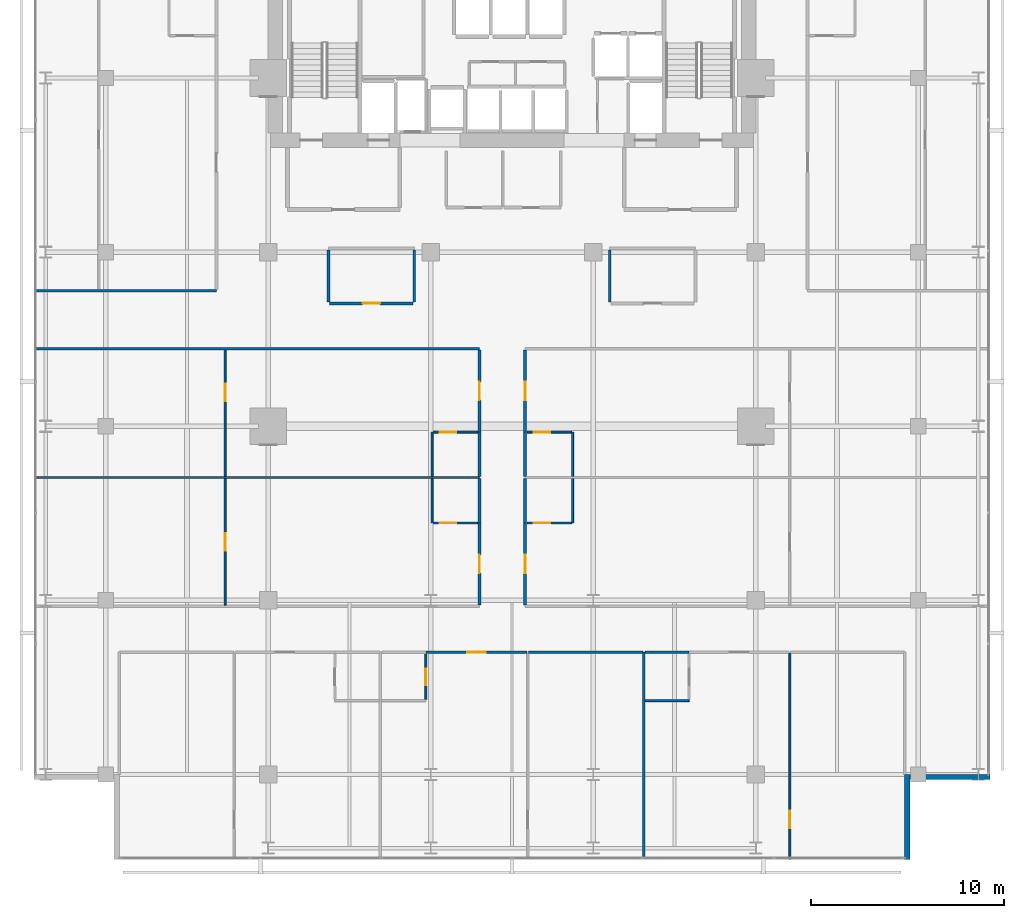
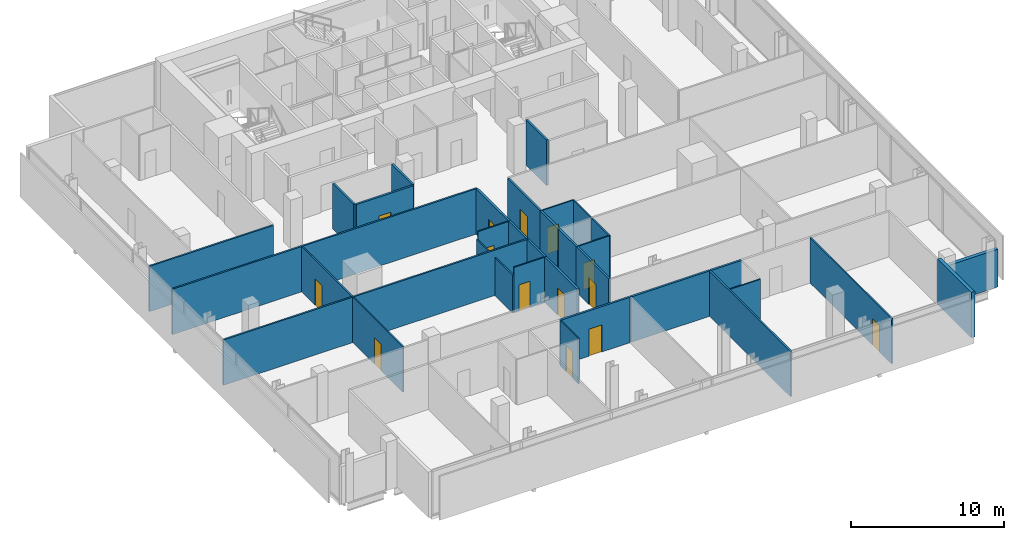
# One storey, part 27 of 33: 34 walls, 14 doors, 14 openings.
"""IFC4 building model written with IfcOpenShell, lengths in metres."""

from ifc_helpers import new_model, si_unit, direction, frame, frame_2d, origin, place, context, subcontext, project, spatial, rectangle, extrude, material, layer, layer_set, type_object, element, fill, save


model = new_model("IFC4")

# Units and contexts
model_context = context("Model", 3, precision=1e-05, world=origin(), true_north=direction((0.0, 1.0)))
body_context = subcontext(model_context, "Body", "Model", "MODEL_VIEW")
ifc_project = project(units=[si_unit("LENGTHUNIT", "METRE"), si_unit("AREAUNIT", "SQUARE_METRE"), si_unit("VOLUMEUNIT", "CUBIC_METRE"), si_unit("PLANEANGLEUNIT", "RADIAN"), si_unit("MASSUNIT", "GRAM", prefix="KILO")], contexts=[model_context])

# Site, building, storey
site_placement = place(None, origin())
site = spatial("IfcSite", under=ifc_project, at=site_placement, CompositionType="ELEMENT")
building_placement = place(site_placement, origin())
building = spatial("IfcBuilding", under=site, at=building_placement, Name="Maruvema Waterfront Hotel and Observation Tower", CompositionType="ELEMENT")
storey_placement = place(building_placement, frame((0.0, 0.0, 169.75)))
storey = spatial("IfcBuildingStorey", under=building, at=storey_placement, Name="L41", CompositionType="ELEMENT", Elevation=169.75)

# Walls
ifc_material_1 = material(Name="Twin-stud acoustic gypsum drywall", Category="gypsum")
ifc_layer_1 = layer(ifc_material_1, 0.14990234375, Name="Acoustic Corridor and Suite Demising Wall 150 mm")
ifc_layer_set_1 = layer_set([ifc_layer_1], Name="Twin-stud acoustic gypsum drywall")
wall_type_1 = type_object("IfcWallType", Name="Acoustic Corridor and Suite Demising Wall 150 mm", PredefinedType="PARTITIONING", material=ifc_layer_set_1)
for number, where, z_axis, x_axis, name in (
    (1, (28.320068359375, 33.429931640625, 0.0), (0.0, 0.0, 1.0), (0.0, 1.0, 0.0), "L41 L41-M1 West Wall 028"),
    (2, (32.75, 33.429931640625, 0.0), (0.0, 0.0, 1.0), (0.0, 1.0, 0.0), "L41 L41-M1 East Wall 029"),
):
    element("IfcWall", number, at=place(storey_placement, frame(where, z_axis=z_axis, x_axis=x_axis)), inside=storey, type_object=wall_type_1, Name=name, PredefinedType="PARTITIONING", context=body_context, shape_type="SweptSolid", body=[
        extrude(rectangle(XDim=2.690185546875, YDim=0.14990234375, at=frame_2d((1.34521484375, 0.0))), origin(), (0.0, 0.0, 1.0), 3.610107421875),
    ])

# Wall, opening, door
wall_1_placement = place(storey_placement, frame((28.3798828125, 33.35009765625, 0.0), z_axis=(0.0, 0.0, 1.0), x_axis=(1.0, 0.0, 0.0)))
wall_1 = element("IfcWall", 3, at=wall_1_placement, inside=storey, type_object=wall_type_1, Name="L41 L41-M1 Front 1 030", PredefinedType="PARTITIONING", context=body_context, shape_type="SweptSolid", body=[
    extrude(rectangle(XDim=4.31005859375, YDim=0.14990234375, at=frame_2d((2.155029296875, 0.0))), origin(), (0.0, 0.0, 1.0), 3.610107421875),
])
opening_1_placement = place(wall_1_placement, frame((1.705078125, 0.0, 0.0)))
opening_1 = element("IfcOpeningElement", 4, at=opening_1_placement, cuts=wall_1, Name="Opening DR-090", PredefinedType="OPENING", context=body_context, shape_type="SweptSolid", body=[
    extrude(rectangle(XDim=0.89990234375, YDim=2.10009765625, at=frame_2d((0.449951171875, 1.050048828125))), frame((0.0, 0.0849609375, 0.0), z_axis=(0.0, -1.0, 0.0), x_axis=(1.0, 0.0, 0.0)), (0.0, 0.0, 1.0), 0.169921875),
])
ifc_material_2 = material(Name="Solid-core lacquered timber leaf", Category="wood")
door_type_1 = type_object("IfcDoorType", Name="Accessible Toilet and Room Door 900x2100 mm", OperationType="NOTDEFINED", PredefinedType="DOOR", material=ifc_material_2)
door_1_placement = place(opening_1_placement, frame((0.89990234375, 0.0, 0.0), z_axis=(0.0, 0.0, 1.0), x_axis=(-1.0, 0.0, 0.0)))
door_1 = element("IfcDoor", 5, at=door_1_placement, inside=storey, type_object=door_type_1, Name="L41 Chef Kitchen 1 Door", OperationType="SINGLE_SWING_RIGHT", OverallHeight=2.10009765625, OverallWidth=0.89990234375, PredefinedType="DOOR", context=body_context, shape_type="SweptSolid", body=[
    extrude(rectangle(XDim=0.89990234375, YDim=2.10009765625, at=frame_2d((0.449951171875, 1.050048828125))), frame((0.0, 0.02490234375, 0.0), z_axis=(0.0, -1.0, 0.0), x_axis=(1.0, 0.0, 0.0)), (0.0, 0.0, 1.0), 0.050048828125),
])
fill(opening_1, door_1)

# Wall
wall_2_placement = place(storey_placement, frame((42.85009765625, 33.429931640625, 0.0), z_axis=(0.0, 0.0, 1.0), x_axis=(0.0, 1.0, 0.0)))
element("IfcWall", 6, at=wall_2_placement, inside=storey, type_object=wall_type_1, Name="L41 L41-M2 West Wall 032", PredefinedType="PARTITIONING", context=body_context, shape_type="SweptSolid", body=[
    extrude(rectangle(XDim=2.690185546875, YDim=0.14990234375, at=frame_2d((1.34521484375, 0.0))), origin(), (0.0, 0.0, 1.0), 3.610107421875),
])

# Wall, opening, door
wall_3_placement = place(storey_placement, frame((33.35009765625, 15.320068359375, 0.0), z_axis=(0.0, 0.0, 1.0), x_axis=(1.0, 0.0, 0.0)))
wall_3 = element("IfcWall", 7, at=wall_3_placement, inside=storey, type_object=wall_type_1, Name="L41 Unit L41-S2 Corridor Wall 047", PredefinedType="PARTITIONING", context=body_context, shape_type="SweptSolid", body=[
    extrude(rectangle(XDim=5.225830078125, YDim=0.14990234375, at=frame_2d((2.61279296875, 0.0))), origin(), (0.0, 0.0, 1.0), 3.610107421875),
])
opening_2_placement = place(wall_3_placement, frame((2.137939453125, 0.0, 0.0)))
opening_2 = element("IfcOpeningElement", 8, at=opening_2_placement, cuts=wall_3, Name="Opening DR-095", PredefinedType="OPENING", context=body_context, shape_type="SweptSolid", body=[
    extrude(rectangle(XDim=0.949951171875, YDim=2.14990234375, at=frame_2d((0.47509765625, 1.074951171875))), frame((0.0, 0.0849609375, 0.0), z_axis=(0.0, -1.0, 0.0), x_axis=(1.0, 0.0, 0.0)), (0.0, 0.0, 1.0), 0.169921875),
])
ifc_material_3 = material(Name="Acoustic solid-core hardwood timber leaf", Category="wood")
door_type_2 = type_object("IfcDoorType", Name="Guestroom Entrance Fire Door 950x2150 mm", OperationType="NOTDEFINED", PredefinedType="DOOR", material=ifc_material_3)
door_2_placement = place(opening_2_placement, frame((0.949951171875, 0.0, 0.0), z_axis=(0.0, 0.0, 1.0), x_axis=(-1.0, 0.0, 0.0)))
door_2 = element("IfcDoor", 9, at=door_2_placement, inside=storey, type_object=door_type_2, Name="L41 Unit L41-S2 Entrance Door", OperationType="SINGLE_SWING_RIGHT", OverallHeight=2.14990234375, OverallWidth=0.949951171875, PredefinedType="DOOR", context=body_context, shape_type="SweptSolid", body=[
    extrude(rectangle(XDim=0.949951171875, YDim=2.14990234375, at=frame_2d((0.47509765625, 1.074951171875))), frame((0.0, 0.02490234375, 0.0), z_axis=(0.0, -1.0, 0.0), x_axis=(1.0, 0.0, 0.0)), (0.0, 0.0, 1.0), 0.050048828125),
])
fill(opening_2, door_2)

# Walls
wall_4_placement = place(storey_placement, frame((38.656005859375, 15.320068359375, 0.0), z_axis=(0.0, 0.0, 1.0), x_axis=(1.0, 0.0, 0.0)))
element("IfcWall", 10, at=wall_4_placement, inside=storey, type_object=wall_type_1, Name="L41 Bedroom L41-S2 Back Wall 048", PredefinedType="PARTITIONING", context=body_context, shape_type="SweptSolid", body=[
    extrude(rectangle(XDim=5.924072265625, YDim=0.14990234375, at=frame_2d((2.9619140625, 0.0))), origin(), (0.0, 0.0, 1.0), 3.610107421875),
])
wall_5_placement = place(storey_placement, frame((44.679931640625, 15.320068359375, 0.0), z_axis=(0.0, 0.0, 1.0), x_axis=(1.0, 0.0, 0.0)))
element("IfcWall", 11, at=wall_5_placement, inside=storey, type_object=wall_type_1, Name="L41 Bath L41-S3 Back Wall 051", PredefinedType="PARTITIONING", context=body_context, shape_type="SweptSolid", body=[
    extrude(rectangle(XDim=2.27001953125, YDim=0.14990234375, at=frame_2d((1.135009765625, 0.0))), origin(), (0.0, 0.0, 1.0), 3.610107421875),
])

# Wall, opening, door
wall_6_placement = place(storey_placement, frame((36.1201171875, 17.760009765625, 0.0), z_axis=(0.0, 0.0, 1.0), x_axis=(0.0, 1.0, 0.0)))
wall_6 = element("IfcWall", 12, at=wall_6_placement, inside=storey, type_object=wall_type_1, Name="L41 Room L41-W1 Corridor Wall 061", PredefinedType="PARTITIONING", context=body_context, shape_type="SweptSolid", body=[
    extrude(rectangle(XDim=4.239990234375, YDim=0.14990234375, at=frame_2d((2.1201171875, 0.0))), origin(), (0.0, 0.0, 1.0), 3.610107421875),
])
opening_3_placement = place(wall_6_placement, frame((1.64501953125, 0.0, 0.0)))
opening_3 = element("IfcOpeningElement", 13, at=opening_3_placement, cuts=wall_6, Name="Opening DR-095", PredefinedType="OPENING", context=body_context, shape_type="SweptSolid", body=[
    extrude(rectangle(XDim=0.949951171875, YDim=2.14990234375, at=frame_2d((0.47509765625, 1.074951171875))), frame((0.0, 0.0849609375, 0.0), z_axis=(0.0, -1.0, 0.0), x_axis=(1.0, 0.0, 0.0)), (0.0, 0.0, 1.0), 0.169921875),
])
door_3_placement = place(opening_3_placement, origin())
door_3 = element("IfcDoor", 14, at=door_3_placement, inside=storey, type_object=door_type_2, Name="L41 Room L41-W1 Entrance Door", OperationType="SINGLE_SWING_RIGHT", OverallHeight=2.14990234375, OverallWidth=0.949951171875, PredefinedType="DOOR", context=body_context, shape_type="SweptSolid", body=[
    extrude(rectangle(XDim=0.949951171875, YDim=2.14990234375, at=frame_2d((0.47509765625, 1.074951171875))), frame((0.0, 0.02490234375, 0.0), z_axis=(0.0, -1.0, 0.0), x_axis=(1.0, 0.0, 0.0)), (0.0, 0.0, 1.0), 0.050048828125),
])
fill(opening_3, door_3)

# Wall
wall_7_placement = place(storey_placement, frame((36.1201171875, 22.0, 0.0), z_axis=(0.0, 0.0, 1.0), x_axis=(0.0, 1.0, 0.0)))
element("IfcWall", 15, at=wall_7_placement, inside=storey, type_object=wall_type_1, Name="L41 Bath L41-W1 Wall 062", PredefinedType="PARTITIONING", context=body_context, shape_type="SweptSolid", body=[
    extrude(rectangle(XDim=2.2900390625, YDim=0.14990234375, at=frame_2d((1.14501953125, 0.0))), origin(), (0.0, 0.0, 1.0), 3.610107421875),
])

# Wall, opening, door
wall_8_placement = place(storey_placement, frame((38.47998046875, 17.760009765625, 0.0), z_axis=(0.0, 0.0, 1.0), x_axis=(0.0, 1.0, 0.0)))
wall_8 = element("IfcWall", 16, at=wall_8_placement, inside=storey, type_object=wall_type_1, Name="L41 Room L41-E1 Corridor Wall 066", PredefinedType="PARTITIONING", context=body_context, shape_type="SweptSolid", body=[
    extrude(rectangle(XDim=4.239990234375, YDim=0.14990234375, at=frame_2d((2.1201171875, 0.0))), origin(), (0.0, 0.0, 1.0), 3.610107421875),
])
opening_4_placement = place(wall_8_placement, frame((1.64501953125, 0.0, 0.0)))
opening_4 = element("IfcOpeningElement", 17, at=opening_4_placement, cuts=wall_8, Name="Opening DR-095", PredefinedType="OPENING", context=body_context, shape_type="SweptSolid", body=[
    extrude(rectangle(XDim=0.949951171875, YDim=2.14990234375, at=frame_2d((0.47509765625, 1.074951171875))), frame((0.0, 0.0849609375, 0.0), z_axis=(0.0, -1.0, 0.0), x_axis=(1.0, 0.0, 0.0)), (0.0, 0.0, 1.0), 0.169921875),
])
door_4_placement = place(opening_4_placement, frame((0.949951171875, 0.0, 0.0), z_axis=(0.0, 0.0, 1.0), x_axis=(-1.0, 0.0, 0.0)))
door_4 = element("IfcDoor", 18, at=door_4_placement, inside=storey, type_object=door_type_2, Name="L41 Room L41-E1 Entrance Door", OperationType="SINGLE_SWING_LEFT", OverallHeight=2.14990234375, OverallWidth=0.949951171875, PredefinedType="DOOR", context=body_context, shape_type="SweptSolid", body=[
    extrude(rectangle(XDim=0.949951171875, YDim=2.14990234375, at=frame_2d((0.47509765625, 1.074951171875))), frame((0.0, 0.02490234375, 0.0), z_axis=(0.0, -1.0, 0.0), x_axis=(1.0, 0.0, 0.0)), (0.0, 0.0, 1.0), 0.050048828125),
])
fill(opening_4, door_4)

# Walls
for number, where, z_axis, x_axis, name in (
    (19, (38.47998046875, 22.0, 0.0), (0.0, 0.0, 1.0), (0.0, 1.0, 0.0), "L41 Bath L41-E1 Wall 067"),
    (20, (36.1201171875, 24.409912109375, 0.0), (0.0, 0.0, 1.0), (0.0, 1.0, 0.0), "L41 Bath L41-W2 Wall 073"),
):
    element("IfcWall", number, at=place(storey_placement, frame(where, z_axis=z_axis, x_axis=x_axis)), inside=storey, type_object=wall_type_1, Name=name, PredefinedType="PARTITIONING", context=body_context, shape_type="SweptSolid", body=[
        extrude(rectangle(XDim=2.2900390625, YDim=0.14990234375, at=frame_2d((1.14501953125, 0.0))), origin(), (0.0, 0.0, 1.0), 3.610107421875),
    ])

# Wall, opening, door
wall_9_placement = place(storey_placement, frame((36.1201171875, 26.699951171875, 0.0), z_axis=(0.0, 0.0, 1.0), x_axis=(0.0, 1.0, 0.0)))
wall_9 = element("IfcWall", 21, at=wall_9_placement, inside=storey, type_object=wall_type_1, Name="L41 Room L41-W2 Corridor Wall 074", PredefinedType="PARTITIONING", context=body_context, shape_type="SweptSolid", body=[
    extrude(rectangle(XDim=4.239990234375, YDim=0.14990234375, at=frame_2d((2.1201171875, 0.0))), origin(), (0.0, 0.0, 1.0), 3.610107421875),
])
opening_5_placement = place(wall_9_placement, frame((1.64501953125, 0.0, 0.0)))
opening_5 = element("IfcOpeningElement", 22, at=opening_5_placement, cuts=wall_9, Name="Opening DR-095", PredefinedType="OPENING", context=body_context, shape_type="SweptSolid", body=[
    extrude(rectangle(XDim=0.949951171875, YDim=2.14990234375, at=frame_2d((0.47509765625, 1.074951171875))), frame((0.0, 0.0849609375, 0.0), z_axis=(0.0, -1.0, 0.0), x_axis=(1.0, 0.0, 0.0)), (0.0, 0.0, 1.0), 0.169921875),
])
door_5_placement = place(opening_5_placement, origin())
door_5 = element("IfcDoor", 23, at=door_5_placement, inside=storey, type_object=door_type_2, Name="L41 Room L41-W2 Entrance Door", OperationType="SINGLE_SWING_RIGHT", OverallHeight=2.14990234375, OverallWidth=0.949951171875, PredefinedType="DOOR", context=body_context, shape_type="SweptSolid", body=[
    extrude(rectangle(XDim=0.949951171875, YDim=2.14990234375, at=frame_2d((0.47509765625, 1.074951171875))), frame((0.0, 0.02490234375, 0.0), z_axis=(0.0, -1.0, 0.0), x_axis=(1.0, 0.0, 0.0)), (0.0, 0.0, 1.0), 0.050048828125),
])
fill(opening_5, door_5)

# Wall
wall_10_placement = place(storey_placement, frame((38.47998046875, 24.409912109375, 0.0), z_axis=(0.0, 0.0, 1.0), x_axis=(0.0, 1.0, 0.0)))
element("IfcWall", 24, at=wall_10_placement, inside=storey, type_object=wall_type_1, Name="L41 Bath L41-E2 Wall 078", PredefinedType="PARTITIONING", context=body_context, shape_type="SweptSolid", body=[
    extrude(rectangle(XDim=2.2900390625, YDim=0.14990234375, at=frame_2d((1.14501953125, 0.0))), origin(), (0.0, 0.0, 1.0), 3.610107421875),
])

# Wall, opening, door
wall_11_placement = place(storey_placement, frame((38.47998046875, 26.699951171875, 0.0), z_axis=(0.0, 0.0, 1.0), x_axis=(0.0, 1.0, 0.0)))
wall_11 = element("IfcWall", 25, at=wall_11_placement, inside=storey, type_object=wall_type_1, Name="L41 Room L41-E2 Corridor Wall 079", PredefinedType="PARTITIONING", context=body_context, shape_type="SweptSolid", body=[
    extrude(rectangle(XDim=4.239990234375, YDim=0.14990234375, at=frame_2d((2.1201171875, 0.0))), origin(), (0.0, 0.0, 1.0), 3.610107421875),
])
opening_6_placement = place(wall_11_placement, frame((1.64501953125, 0.0, 0.0)))
opening_6 = element("IfcOpeningElement", 26, at=opening_6_placement, cuts=wall_11, Name="Opening DR-095", PredefinedType="OPENING", context=body_context, shape_type="SweptSolid", body=[
    extrude(rectangle(XDim=0.949951171875, YDim=2.14990234375, at=frame_2d((0.47509765625, 1.074951171875))), frame((0.0, 0.0849609375, 0.0), z_axis=(0.0, -1.0, 0.0), x_axis=(1.0, 0.0, 0.0)), (0.0, 0.0, 1.0), 0.169921875),
])
door_6_placement = place(opening_6_placement, frame((0.949951171875, 0.0, 0.0), z_axis=(0.0, 0.0, 1.0), x_axis=(-1.0, 0.0, 0.0)))
door_6 = element("IfcDoor", 27, at=door_6_placement, inside=storey, type_object=door_type_2, Name="L41 Room L41-E2 Entrance Door", OperationType="SINGLE_SWING_LEFT", OverallHeight=2.14990234375, OverallWidth=0.949951171875, PredefinedType="DOOR", context=body_context, shape_type="SweptSolid", body=[
    extrude(rectangle(XDim=0.949951171875, YDim=2.14990234375, at=frame_2d((0.47509765625, 1.074951171875))), frame((0.0, 0.02490234375, 0.0), z_axis=(0.0, -1.0, 0.0), x_axis=(1.0, 0.0, 0.0)), (0.0, 0.0, 1.0), 0.050048828125),
])
fill(opening_6, door_6)

ifc_material_4 = material(Name="Moisture-resistant cement-board drywall", Category="gypsum")
ifc_layer_2 = layer(ifc_material_4, 0.10009765625, Name="En-Suite Moisture-Resistant Partition 100 mm")
ifc_layer_set_2 = layer_set([ifc_layer_2], Name="Moisture-resistant cement-board drywall")
wall_type_2 = type_object("IfcWallType", Name="En-Suite Moisture-Resistant Partition 100 mm", PredefinedType="PARTITIONING", material=ifc_layer_set_2)
wall_12_placement = place(storey_placement, frame((33.35009765625, 12.8798828125, 0.0), z_axis=(0.0, 0.0, 1.0), x_axis=(0.0, 1.0, 0.0)))
wall_12 = element("IfcWall", 28, at=wall_12_placement, inside=storey, type_object=wall_type_2, Name="L41 En-Suite L41-S2 East 046", PredefinedType="PARTITIONING", context=body_context, shape_type="SweptSolid", body=[
    extrude(rectangle(XDim=2.340087890625, YDim=0.10009765625, at=frame_2d((1.169921875, 0.0))), origin(), (0.0, 0.0, 1.0), 3.610107421875),
])
opening_7_placement = place(wall_12_placement, frame((0.7451171875, 0.0, 0.0)))
opening_7 = element("IfcOpeningElement", 29, at=opening_7_placement, cuts=wall_12, Name="Opening DR-085", PredefinedType="OPENING", context=body_context, shape_type="SweptSolid", body=[
    extrude(rectangle(XDim=0.85009765625, YDim=2.10009765625, at=frame_2d((0.425048828125, 1.050048828125))), frame((0.0, 0.06005859375, 0.0), z_axis=(0.0, -1.0, 0.0), x_axis=(1.0, 0.0, 0.0)), (0.0, 0.0, 1.0), 0.1201171875),
])
ifc_material_5 = material(Name="Moisture-resistant solid timber leaf", Category="wood")
door_type_3 = type_object("IfcDoorType", Name="En-Suite Bathroom Door 850x2100 mm", OperationType="NOTDEFINED", PredefinedType="DOOR", material=ifc_material_5)
door_7_placement = place(opening_7_placement, frame((0.85009765625, 0.0, 0.0), z_axis=(0.0, 0.0, 1.0), x_axis=(-1.0, 0.0, 0.0)))
door_7 = element("IfcDoor", 30, at=door_7_placement, inside=storey, type_object=door_type_3, Name="L41 En-Suite L41-S2 Door", OperationType="SINGLE_SWING_LEFT", OverallHeight=2.10009765625, OverallWidth=0.85009765625, PredefinedType="DOOR", context=body_context, shape_type="SweptSolid", body=[
    extrude(rectangle(XDim=0.85009765625, YDim=2.10009765625, at=frame_2d((0.425048828125, 1.050048828125))), frame((0.0, 0.02490234375, 0.0), z_axis=(0.0, -1.0, 0.0), x_axis=(1.0, 0.0, 0.0)), (0.0, 0.0, 1.0), 0.050048828125),
])
fill(opening_7, door_7)

# Wall
wall_13_placement = place(storey_placement, frame((44.679931640625, 12.820068359375, 0.0), z_axis=(0.0, 0.0, 1.0), x_axis=(1.0, 0.0, 0.0)))
element("IfcWall", 31, at=wall_13_placement, inside=storey, type_object=wall_type_2, Name="L41 En-Suite L41-S3 South 052", PredefinedType="PARTITIONING", context=body_context, shape_type="SweptSolid", body=[
    extrude(rectangle(XDim=2.27001953125, YDim=0.10009765625, at=frame_2d((1.135009765625, 0.0))), origin(), (0.0, 0.0, 1.0), 3.610107421875),
])

# Wall, opening, door
wall_14_placement = place(storey_placement, frame((52.159912109375, 4.6298828125, 0.0), z_axis=(0.0, 0.0, 1.0), x_axis=(0.0, 1.0, 0.0)))
wall_14 = element("IfcWall", 32, at=wall_14_placement, inside=storey, type_object=wall_type_2, Name="L41 Suite L41-S3 Split 056", PredefinedType="PARTITIONING", context=body_context, shape_type="SweptSolid", body=[
    extrude(rectangle(XDim=10.630126953125, YDim=0.10009765625, at=frame_2d((5.31494140625, 0.0))), origin(), (0.0, 0.0, 1.0), 3.610107421875),
])
opening_8_placement = place(wall_14_placement, frame((1.60009765625, 0.0, 0.0)))
opening_8 = element("IfcOpeningElement", 33, at=opening_8_placement, cuts=wall_14, Name="Opening DR-090", PredefinedType="OPENING", context=body_context, shape_type="SweptSolid", body=[
    extrude(rectangle(XDim=0.89990234375, YDim=2.10009765625, at=frame_2d((0.449951171875, 1.050048828125))), frame((0.0, 0.06005859375, 0.0), z_axis=(0.0, -1.0, 0.0), x_axis=(1.0, 0.0, 0.0)), (0.0, 0.0, 1.0), 0.1201171875),
])
door_8_placement = place(opening_8_placement, origin())
door_8 = element("IfcDoor", 34, at=door_8_placement, inside=storey, type_object=door_type_1, Name="L41 Suite L41-S3 Bedroom Door", OperationType="SINGLE_SWING_RIGHT", OverallHeight=2.10009765625, OverallWidth=0.89990234375, PredefinedType="DOOR", context=body_context, shape_type="SweptSolid", body=[
    extrude(rectangle(XDim=0.89990234375, YDim=2.10009765625, at=frame_2d((0.449951171875, 1.050048828125))), frame((0.0, 0.02490234375, 0.0), z_axis=(0.0, -1.0, 0.0), x_axis=(1.0, 0.0, 0.0)), (0.0, 0.0, 1.0), 0.050048828125),
])
fill(opening_8, door_8)

# Wall
wall_15_placement = place(storey_placement, frame((33.669921875, 22.0, 0.0), z_axis=(0.0, 0.0, 1.0), x_axis=(0.0, 1.0, 0.0)))
element("IfcWall", 35, at=wall_15_placement, inside=storey, type_object=wall_type_2, Name="L41 En-Suite L41-W1 W 063", PredefinedType="PARTITIONING", context=body_context, shape_type="SweptSolid", body=[
    extrude(rectangle(XDim=2.2900390625, YDim=0.10009765625, at=frame_2d((1.14501953125, 0.0))), origin(), (0.0, 0.0, 1.0), 3.007080078125),
])

# Wall, opening, door
wall_16_placement = place(storey_placement, frame((33.719970703125, 22.0, 0.0), z_axis=(0.0, 0.0, 1.0), x_axis=(1.0, 0.0, 0.0)))
wall_16 = element("IfcWall", 36, at=wall_16_placement, inside=storey, type_object=wall_type_2, Name="L41 En-Suite L41-W1 S 064", PredefinedType="PARTITIONING", context=body_context, shape_type="SweptSolid", body=[
    extrude(rectangle(XDim=2.300048828125, YDim=0.10009765625, at=frame_2d((1.14990234375, 0.0))), origin(), (0.0, 0.0, 1.0), 3.610107421875),
])
opening_9_placement = place(wall_16_placement, frame((0.35009765625, 0.0, 0.0)))
opening_9 = element("IfcOpeningElement", 37, at=opening_9_placement, cuts=wall_16, Name="Opening DR-085", PredefinedType="OPENING", context=body_context, shape_type="SweptSolid", body=[
    extrude(rectangle(XDim=0.85009765625, YDim=2.10009765625, at=frame_2d((0.425048828125, 1.050048828125))), frame((0.0, 0.06005859375, 0.0), z_axis=(0.0, -1.0, 0.0), x_axis=(1.0, 0.0, 0.0)), (0.0, 0.0, 1.0), 0.1201171875),
])
door_9_placement = place(opening_9_placement, frame((0.85009765625, 0.0, 0.0), z_axis=(0.0, 0.0, 1.0), x_axis=(-1.0, 0.0, 0.0)))
door_9 = element("IfcDoor", 38, at=door_9_placement, inside=storey, type_object=door_type_3, Name="L41 En-Suite L41-W1 Door", OperationType="SINGLE_SWING_LEFT", OverallHeight=2.10009765625, OverallWidth=0.85009765625, PredefinedType="DOOR", context=body_context, shape_type="SweptSolid", body=[
    extrude(rectangle(XDim=0.85009765625, YDim=2.10009765625, at=frame_2d((0.425048828125, 1.050048828125))), frame((0.0, 0.02490234375, 0.0), z_axis=(0.0, -1.0, 0.0), x_axis=(1.0, 0.0, 0.0)), (0.0, 0.0, 1.0), 0.050048828125),
])
fill(opening_9, door_9)

wall_17_placement = place(storey_placement, frame((22.9736328125, 17.760009765625, 0.0), z_axis=(0.0, 0.0, 1.0), x_axis=(0.0, 1.0, 0.0)))
wall_17 = element("IfcWall", 39, at=wall_17_placement, inside=storey, type_object=wall_type_2, Name="L41 Suite L41-W1 Split 065", PredefinedType="PARTITIONING", context=body_context, shape_type="SweptSolid", body=[
    extrude(rectangle(XDim=6.530029296875, YDim=0.10009765625, at=frame_2d((3.26513671875, 0.0))), origin(), (0.0, 0.0, 1.0), 3.610107421875),
])
opening_10_placement = place(wall_17_placement, frame((2.81494140625, 0.0, 0.0)))
opening_10 = element("IfcOpeningElement", 40, at=opening_10_placement, cuts=wall_17, Name="Opening DR-090", PredefinedType="OPENING", context=body_context, shape_type="SweptSolid", body=[
    extrude(rectangle(XDim=0.89990234375, YDim=2.10009765625, at=frame_2d((0.449951171875, 1.050048828125))), frame((0.0, 0.06005859375, 0.0), z_axis=(0.0, -1.0, 0.0), x_axis=(1.0, 0.0, 0.0)), (0.0, 0.0, 1.0), 0.1201171875),
])
door_10_placement = place(opening_10_placement, origin())
door_10 = element("IfcDoor", 41, at=door_10_placement, inside=storey, type_object=door_type_1, Name="L41 Suite L41-W1 Bedroom Door", OperationType="SINGLE_SWING_LEFT", OverallHeight=2.10009765625, OverallWidth=0.89990234375, PredefinedType="DOOR", context=body_context, shape_type="SweptSolid", body=[
    extrude(rectangle(XDim=0.89990234375, YDim=2.10009765625, at=frame_2d((0.449951171875, 1.050048828125))), frame((0.0, 0.02490234375, 0.0), z_axis=(0.0, -1.0, 0.0), x_axis=(1.0, 0.0, 0.0)), (0.0, 0.0, 1.0), 0.050048828125),
])
fill(opening_10, door_10)

# Wall
wall_18_placement = place(storey_placement, frame((40.929931640625, 22.0, 0.0), z_axis=(0.0, 0.0, 1.0), x_axis=(0.0, 1.0, 0.0)))
element("IfcWall", 42, at=wall_18_placement, inside=storey, type_object=wall_type_2, Name="L41 En-Suite L41-E1 E 068", PredefinedType="PARTITIONING", context=body_context, shape_type="SweptSolid", body=[
    extrude(rectangle(XDim=2.2900390625, YDim=0.10009765625, at=frame_2d((1.14501953125, 0.0))), origin(), (0.0, 0.0, 1.0), 3.610107421875),
])

# Wall, opening, door
wall_19_placement = place(storey_placement, frame((38.580078125, 22.0, 0.0), z_axis=(0.0, 0.0, 1.0), x_axis=(1.0, 0.0, 0.0)))
wall_19 = element("IfcWall", 43, at=wall_19_placement, inside=storey, type_object=wall_type_2, Name="L41 En-Suite L41-E1 S 069", PredefinedType="PARTITIONING", context=body_context, shape_type="SweptSolid", body=[
    extrude(rectangle(XDim=2.2998046875, YDim=0.10009765625, at=frame_2d((1.14990234375, 0.0))), origin(), (0.0, 0.0, 1.0), 3.610107421875),
])
opening_11_placement = place(wall_19_placement, frame((0.35009765625, 0.0, 0.0)))
opening_11 = element("IfcOpeningElement", 44, at=opening_11_placement, cuts=wall_19, Name="Opening DR-085", PredefinedType="OPENING", context=body_context, shape_type="SweptSolid", body=[
    extrude(rectangle(XDim=0.85009765625, YDim=2.10009765625, at=frame_2d((0.425048828125, 1.050048828125))), frame((0.0, 0.06005859375, 0.0), z_axis=(0.0, -1.0, 0.0), x_axis=(1.0, 0.0, 0.0)), (0.0, 0.0, 1.0), 0.1201171875),
])
door_11_placement = place(opening_11_placement, frame((0.85009765625, 0.0, 0.0), z_axis=(0.0, 0.0, 1.0), x_axis=(-1.0, 0.0, 0.0)))
door_11 = element("IfcDoor", 45, at=door_11_placement, inside=storey, type_object=door_type_3, Name="L41 En-Suite L41-E1 Door", OperationType="SINGLE_SWING_RIGHT", OverallHeight=2.10009765625, OverallWidth=0.85009765625, PredefinedType="DOOR", context=body_context, shape_type="SweptSolid", body=[
    extrude(rectangle(XDim=0.85009765625, YDim=2.10009765625, at=frame_2d((0.425048828125, 1.050048828125))), frame((0.0, 0.02490234375, 0.0), z_axis=(0.0, -1.0, 0.0), x_axis=(1.0, 0.0, 0.0)), (0.0, 0.0, 1.0), 0.050048828125),
])
fill(opening_11, door_11)

# Wall
wall_20_placement = place(storey_placement, frame((33.669921875, 24.409912109375, 0.0), z_axis=(0.0, 0.0, 1.0), x_axis=(0.0, 1.0, 0.0)))
element("IfcWall", 46, at=wall_20_placement, inside=storey, type_object=wall_type_2, Name="L41 En-Suite L41-W2 W 075", PredefinedType="PARTITIONING", context=body_context, shape_type="SweptSolid", body=[
    extrude(rectangle(XDim=2.2900390625, YDim=0.10009765625, at=frame_2d((1.14501953125, 0.0))), origin(), (0.0, 0.0, 1.0), 3.007080078125),
])

# Wall, opening, door
wall_21_placement = place(storey_placement, frame((33.719970703125, 26.699951171875, 0.0), z_axis=(0.0, 0.0, 1.0), x_axis=(1.0, 0.0, 0.0)))
wall_21 = element("IfcWall", 47, at=wall_21_placement, inside=storey, type_object=wall_type_2, Name="L41 En-Suite L41-W2 N 076", PredefinedType="PARTITIONING", context=body_context, shape_type="SweptSolid", body=[
    extrude(rectangle(XDim=2.300048828125, YDim=0.10009765625, at=frame_2d((1.14990234375, 0.0))), origin(), (0.0, 0.0, 1.0), 3.610107421875),
])
opening_12_placement = place(wall_21_placement, frame((0.35009765625, 0.0, 0.0)))
opening_12 = element("IfcOpeningElement", 48, at=opening_12_placement, cuts=wall_21, Name="Opening DR-085", PredefinedType="OPENING", context=body_context, shape_type="SweptSolid", body=[
    extrude(rectangle(XDim=0.85009765625, YDim=2.10009765625, at=frame_2d((0.425048828125, 1.050048828125))), frame((0.0, 0.06005859375, 0.0), z_axis=(0.0, -1.0, 0.0), x_axis=(1.0, 0.0, 0.0)), (0.0, 0.0, 1.0), 0.1201171875),
])
door_12_placement = place(opening_12_placement, origin())
door_12 = element("IfcDoor", 49, at=door_12_placement, inside=storey, type_object=door_type_3, Name="L41 En-Suite L41-W2 Door", OperationType="SINGLE_SWING_LEFT", OverallHeight=2.10009765625, OverallWidth=0.85009765625, PredefinedType="DOOR", context=body_context, shape_type="SweptSolid", body=[
    extrude(rectangle(XDim=0.85009765625, YDim=2.10009765625, at=frame_2d((0.425048828125, 1.050048828125))), frame((0.0, 0.02490234375, 0.0), z_axis=(0.0, -1.0, 0.0), x_axis=(1.0, 0.0, 0.0)), (0.0, 0.0, 1.0), 0.050048828125),
])
fill(opening_12, door_12)

wall_22_placement = place(storey_placement, frame((22.9736328125, 24.409912109375, 0.0), z_axis=(0.0, 0.0, 1.0), x_axis=(0.0, 1.0, 0.0)))
wall_22 = element("IfcWall", 50, at=wall_22_placement, inside=storey, type_object=wall_type_2, Name="L41 Suite L41-W2 Split 077", PredefinedType="PARTITIONING", context=body_context, shape_type="SweptSolid", body=[
    extrude(rectangle(XDim=6.530029296875, YDim=0.10009765625, at=frame_2d((3.26513671875, 0.0))), origin(), (0.0, 0.0, 1.0), 3.610107421875),
])
opening_13_placement = place(wall_22_placement, frame((3.89501953125, 0.0, 0.0)))
opening_13 = element("IfcOpeningElement", 51, at=opening_13_placement, cuts=wall_22, Name="Opening DR-090", PredefinedType="OPENING", context=body_context, shape_type="SweptSolid", body=[
    extrude(rectangle(XDim=0.89990234375, YDim=2.10009765625, at=frame_2d((0.449951171875, 1.050048828125))), frame((0.0, 0.06005859375, 0.0), z_axis=(0.0, -1.0, 0.0), x_axis=(1.0, 0.0, 0.0)), (0.0, 0.0, 1.0), 0.1201171875),
])
door_13_placement = place(opening_13_placement, origin())
door_13 = element("IfcDoor", 52, at=door_13_placement, inside=storey, type_object=door_type_1, Name="L41 Suite L41-W2 Bedroom Door", OperationType="SINGLE_SWING_LEFT", OverallHeight=2.10009765625, OverallWidth=0.89990234375, PredefinedType="DOOR", context=body_context, shape_type="SweptSolid", body=[
    extrude(rectangle(XDim=0.89990234375, YDim=2.10009765625, at=frame_2d((0.449951171875, 1.050048828125))), frame((0.0, 0.02490234375, 0.0), z_axis=(0.0, -1.0, 0.0), x_axis=(1.0, 0.0, 0.0)), (0.0, 0.0, 1.0), 0.050048828125),
])
fill(opening_13, door_13)

# Wall
wall_23_placement = place(storey_placement, frame((40.929931640625, 24.409912109375, 0.0), z_axis=(0.0, 0.0, 1.0), x_axis=(0.0, 1.0, 0.0)))
element("IfcWall", 53, at=wall_23_placement, inside=storey, type_object=wall_type_2, Name="L41 En-Suite L41-E2 E 080", PredefinedType="PARTITIONING", context=body_context, shape_type="SweptSolid", body=[
    extrude(rectangle(XDim=2.2900390625, YDim=0.10009765625, at=frame_2d((1.14501953125, 0.0))), origin(), (0.0, 0.0, 1.0), 3.610107421875),
])

# Wall, opening, door
wall_24_placement = place(storey_placement, frame((38.580078125, 26.699951171875, 0.0), z_axis=(0.0, 0.0, 1.0), x_axis=(1.0, 0.0, 0.0)))
wall_24 = element("IfcWall", 54, at=wall_24_placement, inside=storey, type_object=wall_type_2, Name="L41 En-Suite L41-E2 N 081", PredefinedType="PARTITIONING", context=body_context, shape_type="SweptSolid", body=[
    extrude(rectangle(XDim=2.2998046875, YDim=0.10009765625, at=frame_2d((1.14990234375, 0.0))), origin(), (0.0, 0.0, 1.0), 3.610107421875),
])
opening_14_placement = place(wall_24_placement, frame((0.35009765625, 0.0, 0.0)))
opening_14 = element("IfcOpeningElement", 55, at=opening_14_placement, cuts=wall_24, Name="Opening DR-085", PredefinedType="OPENING", context=body_context, shape_type="SweptSolid", body=[
    extrude(rectangle(XDim=0.85009765625, YDim=2.10009765625, at=frame_2d((0.425048828125, 1.050048828125))), frame((0.0, 0.06005859375, 0.0), z_axis=(0.0, -1.0, 0.0), x_axis=(1.0, 0.0, 0.0)), (0.0, 0.0, 1.0), 0.1201171875),
])
door_14_placement = place(opening_14_placement, origin())
door_14 = element("IfcDoor", 56, at=door_14_placement, inside=storey, type_object=door_type_3, Name="L41 En-Suite L41-E2 Door", OperationType="SINGLE_SWING_RIGHT", OverallHeight=2.10009765625, OverallWidth=0.85009765625, PredefinedType="DOOR", context=body_context, shape_type="SweptSolid", body=[
    extrude(rectangle(XDim=0.85009765625, YDim=2.10009765625, at=frame_2d((0.425048828125, 1.050048828125))), frame((0.0, 0.02490234375, 0.0), z_axis=(0.0, -1.0, 0.0), x_axis=(1.0, 0.0, 0.0)), (0.0, 0.0, 1.0), 0.050048828125),
])
fill(opening_14, door_14)

# Walls
ifc_material_6 = material(Name="Precast concrete C45/55 with honed Pernambuco granite facing", Category="masonry")
ifc_layer_3 = layer(ifc_material_6, 0.260009765625, Name="Exterior Granite Clad Spandrel and Pier Wall 260 mm")
ifc_layer_set_3 = layer_set([ifc_layer_3], Name="Precast concrete C45/55 with honed Pernambuco granite facing")
wall_type_3 = type_object("IfcWallType", Name="Exterior Granite Clad Spandrel and Pier Wall 260 mm", PredefinedType="SOLIDWALL", material=ifc_layer_set_3)
wall_25_placement = place(storey_placement, frame((58.22998046875, 9.0, 0.0), z_axis=(0.0, 0.0, 1.0), x_axis=(0.0, -1.0, 0.0)))
element("IfcWall", 57, at=wall_25_placement, inside=storey, type_object=wall_type_3, Name="L41 Corner Notch Granite Pier Wall SE1", PredefinedType="SOLIDWALL", context=body_context, shape_type="SweptSolid", body=[
    extrude(rectangle(XDim=4.39990234375, YDim=0.260009765625, at=frame_2d((2.199951171875, 0.0))), origin(), (0.0, 0.0, 1.0), 3.610107421875),
])
wall_26_placement = place(storey_placement, frame((62.5, 8.8701171875, 0.0), z_axis=(0.0, 0.0, 1.0), x_axis=(-1.0, 0.0, 0.0)))
element("IfcWall", 58, at=wall_26_placement, inside=storey, type_object=wall_type_3, Name="L41 Corner Notch Granite Pier Wall SE2", PredefinedType="SOLIDWALL", context=body_context, shape_type="SweptSolid", body=[
    extrude(rectangle(XDim=4.39990234375, YDim=0.260009765625, at=frame_2d((2.199951171875, 0.0))), origin(), (0.0, 0.0, 1.0), 3.007080078125),
])
ifc_material_7 = material(Name="Acoustic gypsum plasterboard drywall", Category="gypsum")
ifc_layer_4 = layer(ifc_material_7, 0.125, Name="Guestroom Acoustic Demising Wall 125 mm")
ifc_layer_set_4 = layer_set([ifc_layer_4], Name="Acoustic gypsum plasterboard drywall")
wall_type_4 = type_object("IfcWallType", Name="Guestroom Acoustic Demising Wall 125 mm", PredefinedType="PARTITIONING", material=ifc_layer_set_4)
wall_27_placement = place(storey_placement, frame((44.60009765625, 4.699951171875, 0.0), z_axis=(0.0, 0.0, 1.0), x_axis=(0.0, 1.0, 0.0)))
element("IfcWall", 59, at=wall_27_placement, inside=storey, type_object=wall_type_4, Name="L41 Z2 S Demising 3 050", PredefinedType="PARTITIONING", context=body_context, shape_type="SweptSolid", body=[
    extrude(rectangle(XDim=10.6201171875, YDim=0.125, at=frame_2d((5.31005859375, 0.0))), origin(), (0.0, 0.0, 1.0), 3.610107421875),
])
for number, where, z_axis, x_axis, name in (
    (60, (13.199951171875, 31.0, 0.0), (0.0, 0.0, 1.0), (1.0, 0.0, 0.0), "L41 Z2 W Top End 059"),
    (61, (13.199951171875, 24.35009765625, 0.0), (0.0, 0.0, 1.0), (1.0, 0.0, 0.0), "L41 Z2 W Demising 2 071"),
):
    element("IfcWall", number, at=place(storey_placement, frame(where, z_axis=z_axis, x_axis=x_axis)), inside=storey, type_object=wall_type_4, Name=name, PredefinedType="PARTITIONING", context=body_context, shape_type="SweptSolid", body=[
        extrude(rectangle(XDim=22.920166015625, YDim=0.125, at=frame_2d((11.4599609375, 0.0))), origin(), (0.0, 0.0, 1.0), 3.610107421875),
    ])
wall_28_placement = place(storey_placement, frame((13.199951171875, 34.0, 0.0), z_axis=(0.0, 0.0, 1.0), x_axis=(1.0, 0.0, 0.0)))
element("IfcWall", 62, at=wall_28_placement, inside=storey, type_object=wall_type_4, Name="L41 Z2 NW Bot End 083", PredefinedType="PARTITIONING", context=body_context, shape_type="SweptSolid", body=[
    extrude(rectangle(XDim=9.320068359375, YDim=0.125, at=frame_2d((4.66015625, 0.0))), origin(), (0.0, 0.0, 1.0), 3.610107421875),
])

save(model, "model.ifc")
